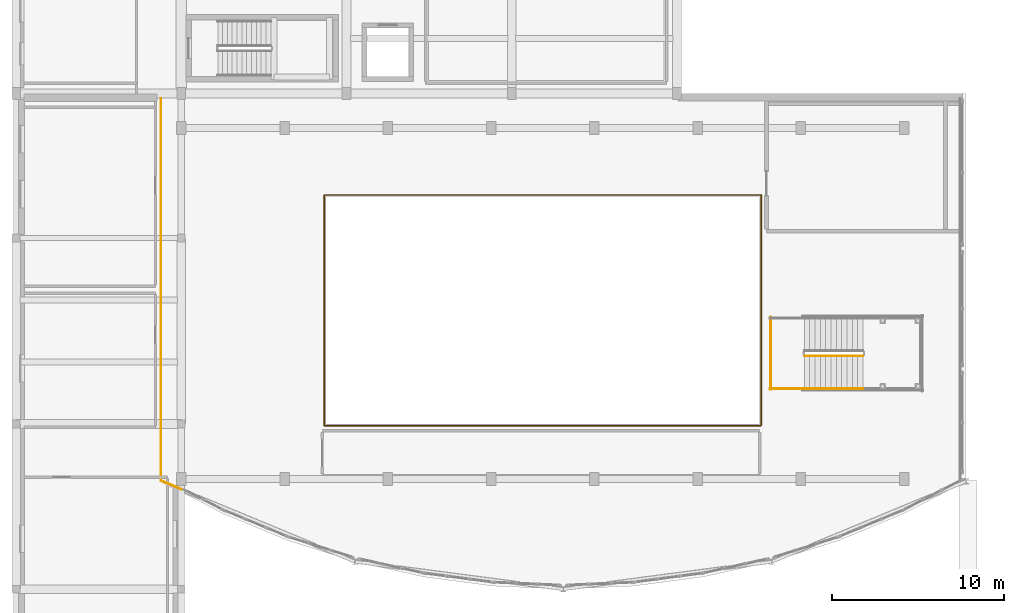
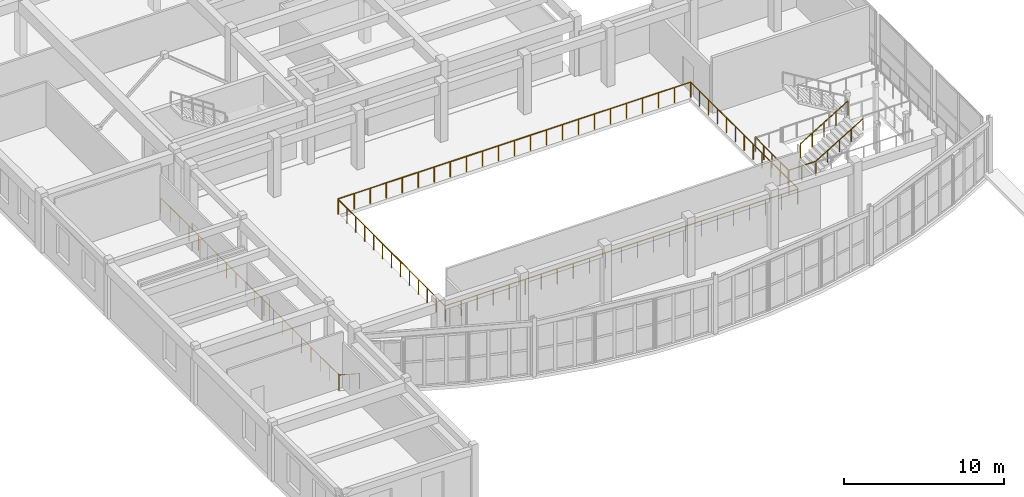
# One storey, part 78 of 92: 7 railings.
"""IFC4 building model written with IfcOpenShell, lengths in metres."""

from ifc_helpers import new_model, si_unit, direction, frame, origin, origin_2d, place, context, subcontext, project, spatial, circle, extrude, material, type_object, element, save


model = new_model("IFC4")

# Units and contexts
model_context = context("Model", 3, precision=1e-05, world=origin(), true_north=direction((0.0, 1.0)))
body_context = subcontext(model_context, "Body", "Model", "MODEL_VIEW")
ifc_project = project(units=[si_unit("LENGTHUNIT", "METRE"), si_unit("AREAUNIT", "SQUARE_METRE"), si_unit("VOLUMEUNIT", "CUBIC_METRE"), si_unit("PLANEANGLEUNIT", "RADIAN"), si_unit("MASSUNIT", "GRAM", prefix="KILO")], contexts=[model_context])

# Site, building, storey
site_placement = place(None, origin())
site = spatial("IfcSite", under=ifc_project, at=site_placement, CompositionType="ELEMENT")
building_placement = place(site_placement, origin())
building = spatial("IfcBuilding", under=site, at=building_placement, Name="Tarnavel Promenade Courthouse", CompositionType="ELEMENT")
storey_placement = place(building_placement, frame((0.0, 0.0, 5.39990234375)))
storey = spatial("IfcBuildingStorey", under=building, at=storey_placement, Name="L02", CompositionType="ELEMENT", Elevation=5.39990234375)

# Railings
ifc_material_1 = material(Name="Brushed Bronze Tubular Stair Handrail")
railing_type_1 = type_object("IfcRailingType", Name="Brushed Bronze Tubular Stair Handrail (RL-HND-0900)", PredefinedType="HANDRAIL", material=ifc_material_1)
railing_1_placement = place(storey_placement, frame((45.800048828125, 20.050048828125, 0.1875)))
element("IfcRailing", 1, at=railing_1_placement, inside=storey, type_object=railing_type_1, Name="L02 ST-09 stair handrail 1", PredefinedType="HANDRAIL", context=body_context, shape_type="SweptSolid", body=[
    extrude(circle(Radius=0.02392578125, at=origin_2d()), frame((0.0, 0.0, 0.8759765625), z_axis=(0.855655013707, 0.0, 0.517546613861), x_axis=(0.0, 1.0, 0.0)), (0.0, 0.0, 1.0), 3.985107421875),
    extrude(circle(Radius=0.02099609375, at=origin_2d()), origin(), (0.0, 0.0, 1.0), 0.851806640625),
    extrude(circle(Radius=0.02099609375, at=origin_2d()), frame((0.8525390625, 0.0, 0.515625)), (0.0, 0.0, 1.0), 0.851806640625),
    extrude(circle(Radius=0.02099609375, at=origin_2d()), frame((1.705078125, 0.0, 1.03125)), (0.0, 0.0, 1.0), 0.851806640625),
    extrude(circle(Radius=0.02099609375, at=origin_2d()), frame((2.557373046875, 0.0, 1.546875)), (0.0, 0.0, 1.0), 0.851806640625),
    extrude(circle(Radius=0.02099609375, at=origin_2d()), frame((3.409912109375, 0.0, 2.0625)), (0.0, 0.0, 1.0), 0.851806640625),
])
ifc_material_2 = material(Name="Laminated Glass and Bronze Concourse Gallery Balustrade", Category="glass")
railing_type_2 = type_object("IfcRailingType", Name="Laminated Glass and Bronze Concourse Gallery Balustrade (RL-BAL-1180)", PredefinedType="BALUSTRADE", material=ifc_material_2)
railing_2_placement = place(storey_placement, frame((17.89990234375, 31.260009765625, 0.0)))
element("IfcRailing", 2, at=railing_2_placement, inside=storey, type_object=railing_type_2, Name="L02 Public Hall Gallery Balustrade South-West Run", PredefinedType="BALUSTRADE", context=body_context, shape_type="SweptSolid", body=[
    extrude(circle(Radius=0.02392578125, at=origin_2d()), frame((0.0, 0.0, 1.15576171875), z_axis=(0.0, -1.0, 0.0), x_axis=(1.0, 0.0, 0.0)), (0.0, 0.0, 1.0), 13.360107421875),
    extrude(circle(Radius=0.02392578125, at=origin_2d()), frame((0.0, -13.360107421875, 1.15576171875), z_axis=(1.0, 0.0, 0.0), x_axis=(0.0, 1.0, 0.0)), (0.0, 0.0, 1.0), 25.360107421875),
    extrude(circle(Radius=0.02099609375, at=origin_2d()), origin(), (0.0, 0.0, 1.0), 1.1318359375),
    extrude(circle(Radius=0.02099609375, at=origin_2d()), frame((0.0, -1.11328125, 0.0)), (0.0, 0.0, 1.0), 1.1318359375),
    extrude(circle(Radius=0.02099609375, at=origin_2d()), frame((0.0, -2.2265625, 0.0)), (0.0, 0.0, 1.0), 1.1318359375),
    extrude(circle(Radius=0.02099609375, at=origin_2d()), frame((0.0, -3.340087890625, 0.0)), (0.0, 0.0, 1.0), 1.1318359375),
    extrude(circle(Radius=0.02099609375, at=origin_2d()), frame((0.0, -4.453369140625, 0.0)), (0.0, 0.0, 1.0), 1.1318359375),
    extrude(circle(Radius=0.02099609375, at=origin_2d()), frame((0.0, -5.566650390625, 0.0)), (0.0, 0.0, 1.0), 1.1318359375),
    extrude(circle(Radius=0.02099609375, at=origin_2d()), frame((0.0, -6.68017578125, 0.0)), (0.0, 0.0, 1.0), 1.1318359375),
    extrude(circle(Radius=0.02099609375, at=origin_2d()), frame((0.0, -7.79345703125, 0.0)), (0.0, 0.0, 1.0), 1.1318359375),
    extrude(circle(Radius=0.02099609375, at=origin_2d()), frame((0.0, -8.90673828125, 0.0)), (0.0, 0.0, 1.0), 1.1318359375),
    extrude(circle(Radius=0.02099609375, at=origin_2d()), frame((0.0, -10.02001953125, 0.0)), (0.0, 0.0, 1.0), 1.1318359375),
    extrude(circle(Radius=0.02099609375, at=origin_2d()), frame((0.0, -11.13330078125, 0.0)), (0.0, 0.0, 1.0), 1.1318359375),
    extrude(circle(Radius=0.02099609375, at=origin_2d()), frame((0.0, -12.246826171875, 0.0)), (0.0, 0.0, 1.0), 1.1318359375),
    extrude(circle(Radius=0.02099609375, at=origin_2d()), frame((0.0, -13.360107421875, 0.0)), (0.0, 0.0, 1.0), 1.1318359375),
    extrude(circle(Radius=0.02099609375, at=origin_2d()), frame((1.15283203125, -13.360107421875, 0.0)), (0.0, 0.0, 1.0), 1.1318359375),
    extrude(circle(Radius=0.02099609375, at=origin_2d()), frame((2.305419921875, -13.360107421875, 0.0)), (0.0, 0.0, 1.0), 1.1318359375),
    extrude(circle(Radius=0.02099609375, at=origin_2d()), frame((3.458251953125, -13.360107421875, 0.0)), (0.0, 0.0, 1.0), 1.1318359375),
    extrude(circle(Radius=0.02099609375, at=origin_2d()), frame((4.61083984375, -13.360107421875, 0.0)), (0.0, 0.0, 1.0), 1.1318359375),
    extrude(circle(Radius=0.02099609375, at=origin_2d()), frame((5.763671875, -13.360107421875, 0.0)), (0.0, 0.0, 1.0), 1.1318359375),
    extrude(circle(Radius=0.02099609375, at=origin_2d()), frame((6.91650390625, -13.360107421875, 0.0)), (0.0, 0.0, 1.0), 1.1318359375),
    extrude(circle(Radius=0.02099609375, at=origin_2d()), frame((8.069091796875, -13.360107421875, 0.0)), (0.0, 0.0, 1.0), 1.1318359375),
    extrude(circle(Radius=0.02099609375, at=origin_2d()), frame((9.221923828125, -13.360107421875, 0.0)), (0.0, 0.0, 1.0), 1.1318359375),
    extrude(circle(Radius=0.02099609375, at=origin_2d()), frame((10.37451171875, -13.360107421875, 0.0)), (0.0, 0.0, 1.0), 1.1318359375),
    extrude(circle(Radius=0.02099609375, at=origin_2d()), frame((11.52734375, -13.360107421875, 0.0)), (0.0, 0.0, 1.0), 1.1318359375),
    extrude(circle(Radius=0.02099609375, at=origin_2d()), frame((12.68017578125, -13.360107421875, 0.0)), (0.0, 0.0, 1.0), 1.1318359375),
    extrude(circle(Radius=0.02099609375, at=origin_2d()), frame((13.832763671875, -13.360107421875, 0.0)), (0.0, 0.0, 1.0), 1.1318359375),
    extrude(circle(Radius=0.02099609375, at=origin_2d()), frame((14.985595703125, -13.360107421875, 0.0)), (0.0, 0.0, 1.0), 1.1318359375),
    extrude(circle(Radius=0.02099609375, at=origin_2d()), frame((16.13818359375, -13.360107421875, 0.0)), (0.0, 0.0, 1.0), 1.1318359375),
    extrude(circle(Radius=0.02099609375, at=origin_2d()), frame((17.291015625, -13.360107421875, 0.0)), (0.0, 0.0, 1.0), 1.1318359375),
    extrude(circle(Radius=0.02099609375, at=origin_2d()), frame((18.443603515625, -13.360107421875, 0.0)), (0.0, 0.0, 1.0), 1.1318359375),
    extrude(circle(Radius=0.02099609375, at=origin_2d()), frame((19.596435546875, -13.360107421875, 0.0)), (0.0, 0.0, 1.0), 1.1318359375),
    extrude(circle(Radius=0.02099609375, at=origin_2d()), frame((20.749267578125, -13.360107421875, 0.0)), (0.0, 0.0, 1.0), 1.1318359375),
    extrude(circle(Radius=0.02099609375, at=origin_2d()), frame((21.90185546875, -13.360107421875, 0.0)), (0.0, 0.0, 1.0), 1.1318359375),
    extrude(circle(Radius=0.02099609375, at=origin_2d()), frame((23.0546875, -13.360107421875, 0.0)), (0.0, 0.0, 1.0), 1.1318359375),
    extrude(circle(Radius=0.02099609375, at=origin_2d()), frame((24.207275390625, -13.360107421875, 0.0)), (0.0, 0.0, 1.0), 1.1318359375),
    extrude(circle(Radius=0.02099609375, at=origin_2d()), frame((25.360107421875, -13.360107421875, 0.0)), (0.0, 0.0, 1.0), 1.1318359375),
])
railing_3_placement = place(storey_placement, frame((17.93994140625, 31.300048828125, 0.0)))
element("IfcRailing", 3, at=railing_3_placement, inside=storey, type_object=railing_type_2, Name="L02 Public Hall Gallery Balustrade North-East Run", PredefinedType="BALUSTRADE", context=body_context, shape_type="SweptSolid", body=[
    extrude(circle(Radius=0.02392578125, at=origin_2d()), frame((0.0, 0.0, 1.15576171875), z_axis=(1.0, 0.0, 0.0), x_axis=(0.0, 1.0, 0.0)), (0.0, 0.0, 1.0), 25.360107421875),
    extrude(circle(Radius=0.02392578125, at=origin_2d()), frame((25.360107421875, 0.0, 1.15576171875), z_axis=(0.0, -1.0, 0.0), x_axis=(1.0, 0.0, 0.0)), (0.0, 0.0, 1.0), 13.360107421875),
    extrude(circle(Radius=0.02099609375, at=origin_2d()), origin(), (0.0, 0.0, 1.0), 1.1318359375),
    extrude(circle(Radius=0.02099609375, at=origin_2d()), frame((1.15283203125, 0.0, 0.0)), (0.0, 0.0, 1.0), 1.1318359375),
    extrude(circle(Radius=0.02099609375, at=origin_2d()), frame((2.305419921875, 0.0, 0.0)), (0.0, 0.0, 1.0), 1.1318359375),
    extrude(circle(Radius=0.02099609375, at=origin_2d()), frame((3.458251953125, 0.0, 0.0)), (0.0, 0.0, 1.0), 1.1318359375),
    extrude(circle(Radius=0.02099609375, at=origin_2d()), frame((4.61083984375, 0.0, 0.0)), (0.0, 0.0, 1.0), 1.1318359375),
    extrude(circle(Radius=0.02099609375, at=origin_2d()), frame((5.763671875, 0.0, 0.0)), (0.0, 0.0, 1.0), 1.1318359375),
    extrude(circle(Radius=0.02099609375, at=origin_2d()), frame((6.91650390625, 0.0, 0.0)), (0.0, 0.0, 1.0), 1.1318359375),
    extrude(circle(Radius=0.02099609375, at=origin_2d()), frame((8.069091796875, 0.0, 0.0)), (0.0, 0.0, 1.0), 1.1318359375),
    extrude(circle(Radius=0.02099609375, at=origin_2d()), frame((9.221923828125, 0.0, 0.0)), (0.0, 0.0, 1.0), 1.1318359375),
    extrude(circle(Radius=0.02099609375, at=origin_2d()), frame((10.37451171875, 0.0, 0.0)), (0.0, 0.0, 1.0), 1.1318359375),
    extrude(circle(Radius=0.02099609375, at=origin_2d()), frame((11.52734375, 0.0, 0.0)), (0.0, 0.0, 1.0), 1.1318359375),
    extrude(circle(Radius=0.02099609375, at=origin_2d()), frame((12.68017578125, 0.0, 0.0)), (0.0, 0.0, 1.0), 1.1318359375),
    extrude(circle(Radius=0.02099609375, at=origin_2d()), frame((13.832763671875, 0.0, 0.0)), (0.0, 0.0, 1.0), 1.1318359375),
    extrude(circle(Radius=0.02099609375, at=origin_2d()), frame((14.985595703125, 0.0, 0.0)), (0.0, 0.0, 1.0), 1.1318359375),
    extrude(circle(Radius=0.02099609375, at=origin_2d()), frame((16.13818359375, 0.0, 0.0)), (0.0, 0.0, 1.0), 1.1318359375),
    extrude(circle(Radius=0.02099609375, at=origin_2d()), frame((17.291015625, 0.0, 0.0)), (0.0, 0.0, 1.0), 1.1318359375),
    extrude(circle(Radius=0.02099609375, at=origin_2d()), frame((18.443603515625, 0.0, 0.0)), (0.0, 0.0, 1.0), 1.1318359375),
    extrude(circle(Radius=0.02099609375, at=origin_2d()), frame((19.596435546875, 0.0, 0.0)), (0.0, 0.0, 1.0), 1.1318359375),
    extrude(circle(Radius=0.02099609375, at=origin_2d()), frame((20.749267578125, 0.0, 0.0)), (0.0, 0.0, 1.0), 1.1318359375),
    extrude(circle(Radius=0.02099609375, at=origin_2d()), frame((21.90185546875, 0.0, 0.0)), (0.0, 0.0, 1.0), 1.1318359375),
    extrude(circle(Radius=0.02099609375, at=origin_2d()), frame((23.0546875, 0.0, 0.0)), (0.0, 0.0, 1.0), 1.1318359375),
    extrude(circle(Radius=0.02099609375, at=origin_2d()), frame((24.207275390625, 0.0, 0.0)), (0.0, 0.0, 1.0), 1.1318359375),
    extrude(circle(Radius=0.02099609375, at=origin_2d()), frame((25.360107421875, 0.0, 0.0)), (0.0, 0.0, 1.0), 1.1318359375),
    extrude(circle(Radius=0.02099609375, at=origin_2d()), frame((25.360107421875, -1.11328125, 0.0)), (0.0, 0.0, 1.0), 1.1318359375),
    extrude(circle(Radius=0.02099609375, at=origin_2d()), frame((25.360107421875, -2.2265625, 0.0)), (0.0, 0.0, 1.0), 1.1318359375),
    extrude(circle(Radius=0.02099609375, at=origin_2d()), frame((25.360107421875, -3.340087890625, 0.0)), (0.0, 0.0, 1.0), 1.1318359375),
    extrude(circle(Radius=0.02099609375, at=origin_2d()), frame((25.360107421875, -4.453369140625, 0.0)), (0.0, 0.0, 1.0), 1.1318359375),
    extrude(circle(Radius=0.02099609375, at=origin_2d()), frame((25.360107421875, -5.566650390625, 0.0)), (0.0, 0.0, 1.0), 1.1318359375),
    extrude(circle(Radius=0.02099609375, at=origin_2d()), frame((25.360107421875, -6.68017578125, 0.0)), (0.0, 0.0, 1.0), 1.1318359375),
    extrude(circle(Radius=0.02099609375, at=origin_2d()), frame((25.360107421875, -7.79345703125, 0.0)), (0.0, 0.0, 1.0), 1.1318359375),
    extrude(circle(Radius=0.02099609375, at=origin_2d()), frame((25.360107421875, -8.90673828125, 0.0)), (0.0, 0.0, 1.0), 1.1318359375),
    extrude(circle(Radius=0.02099609375, at=origin_2d()), frame((25.360107421875, -10.02001953125, 0.0)), (0.0, 0.0, 1.0), 1.1318359375),
    extrude(circle(Radius=0.02099609375, at=origin_2d()), frame((25.360107421875, -11.13330078125, 0.0)), (0.0, 0.0, 1.0), 1.1318359375),
    extrude(circle(Radius=0.02099609375, at=origin_2d()), frame((25.360107421875, -12.246826171875, 0.0)), (0.0, 0.0, 1.0), 1.1318359375),
    extrude(circle(Radius=0.02099609375, at=origin_2d()), frame((25.360107421875, -13.360107421875, 0.0)), (0.0, 0.0, 1.0), 1.1318359375),
])
railing_4_placement = place(storey_placement, frame((8.419921875, 36.89990234375, 0.0)))
element("IfcRailing", 4, at=railing_4_placement, inside=storey, type_object=railing_type_2, Name="L02 Public Drum West Corner Guardrail", PredefinedType="BALUSTRADE", context=body_context, shape_type="SweptSolid", body=[
    extrude(circle(Radius=0.02392578125, at=origin_2d()), frame((0.0, 0.0, 1.15576171875), z_axis=(0.0, -1.0, 0.0), x_axis=(1.0, 0.0, 0.0)), (0.0, 0.0, 1.0), 22.199951171875),
    extrude(circle(Radius=0.02392578125, at=origin_2d()), frame((0.0, -22.199951171875, 1.15576171875), z_axis=(0.920772594973, -0.390099767171, 0.0), x_axis=(0.390099767171, 0.920772594973, 0.0)), (0.0, 0.0, 1.0), 1.28173828125),
    extrude(circle(Radius=0.02099609375, at=origin_2d()), origin(), (0.0, 0.0, 1.0), 1.1318359375),
    extrude(circle(Radius=0.02099609375, at=origin_2d()), frame((0.0, -1.16845703125, 0.0)), (0.0, 0.0, 1.0), 1.1318359375),
    extrude(circle(Radius=0.02099609375, at=origin_2d()), frame((0.0, -2.3369140625, 0.0)), (0.0, 0.0, 1.0), 1.1318359375),
    extrude(circle(Radius=0.02099609375, at=origin_2d()), frame((0.0, -3.50537109375, 0.0)), (0.0, 0.0, 1.0), 1.1318359375),
    extrude(circle(Radius=0.02099609375, at=origin_2d()), frame((0.0, -4.673583984375, 0.0)), (0.0, 0.0, 1.0), 1.1318359375),
    extrude(circle(Radius=0.02099609375, at=origin_2d()), frame((0.0, -5.842041015625, 0.0)), (0.0, 0.0, 1.0), 1.1318359375),
    extrude(circle(Radius=0.02099609375, at=origin_2d()), frame((0.0, -7.010498046875, 0.0)), (0.0, 0.0, 1.0), 1.1318359375),
    extrude(circle(Radius=0.02099609375, at=origin_2d()), frame((0.0, -8.178955078125, 0.0)), (0.0, 0.0, 1.0), 1.1318359375),
    extrude(circle(Radius=0.02099609375, at=origin_2d()), frame((0.0, -9.347412109375, 0.0)), (0.0, 0.0, 1.0), 1.1318359375),
    extrude(circle(Radius=0.02099609375, at=origin_2d()), frame((0.0, -10.515869140625, 0.0)), (0.0, 0.0, 1.0), 1.1318359375),
    extrude(circle(Radius=0.02099609375, at=origin_2d()), frame((0.0, -11.68408203125, 0.0)), (0.0, 0.0, 1.0), 1.1318359375),
    extrude(circle(Radius=0.02099609375, at=origin_2d()), frame((0.0, -12.8525390625, 0.0)), (0.0, 0.0, 1.0), 1.1318359375),
    extrude(circle(Radius=0.02099609375, at=origin_2d()), frame((0.0, -14.02099609375, 0.0)), (0.0, 0.0, 1.0), 1.1318359375),
    extrude(circle(Radius=0.02099609375, at=origin_2d()), frame((0.0, -15.189453125, 0.0)), (0.0, 0.0, 1.0), 1.1318359375),
    extrude(circle(Radius=0.02099609375, at=origin_2d()), frame((0.0, -16.35791015625, 0.0)), (0.0, 0.0, 1.0), 1.1318359375),
    extrude(circle(Radius=0.02099609375, at=origin_2d()), frame((0.0, -17.5263671875, 0.0)), (0.0, 0.0, 1.0), 1.1318359375),
    extrude(circle(Radius=0.02099609375, at=origin_2d()), frame((0.0, -18.694580078125, 0.0)), (0.0, 0.0, 1.0), 1.1318359375),
    extrude(circle(Radius=0.02099609375, at=origin_2d()), frame((0.0, -19.863037109375, 0.0)), (0.0, 0.0, 1.0), 1.1318359375),
    extrude(circle(Radius=0.02099609375, at=origin_2d()), frame((0.0, -21.031494140625, 0.0)), (0.0, 0.0, 1.0), 1.1318359375),
    extrude(circle(Radius=0.02099609375, at=origin_2d()), frame((0.0, -22.199951171875, 0.0)), (0.0, 0.0, 1.0), 1.1318359375),
    extrude(circle(Radius=0.02099609375, at=origin_2d()), frame((0.590087890625, -22.449951171875, 0.0)), (0.0, 0.0, 1.0), 1.1318359375),
    extrude(circle(Radius=0.02099609375, at=origin_2d()), frame((1.18017578125, -22.699951171875, 0.0)), (0.0, 0.0, 1.0), 1.1318359375),
])
ifc_material_3 = material(Name="Painted Architectural Steel Stair & Atrium Guardrail", Category="steel")
railing_type_3 = type_object("IfcRailingType", Name="Painted Architectural Steel Stair & Atrium Guardrail (RL-GRD-1120)", PredefinedType="GUARDRAIL", material=ifc_material_3)
railing_5_placement = place(storey_placement, frame((45.800048828125, 21.949951171875, 0.1875)))
element("IfcRailing", 5, at=railing_5_placement, inside=storey, type_object=railing_type_3, Name="L02 ST-09 stair guard 1", PredefinedType="GUARDRAIL", context=body_context, shape_type="SweptSolid", body=[
    extrude(circle(Radius=0.02392578125, at=origin_2d()), frame((0.0, 0.0, 1.076171875), z_axis=(0.855655013707, 0.0, 0.517546613861), x_axis=(0.0, 1.0, 0.0)), (0.0, 0.0, 1.0), 3.985107421875),
    extrude(circle(Radius=0.02099609375, at=origin_2d()), origin(), (0.0, 0.0, 1.0), 1.052001953125),
    extrude(circle(Radius=0.02099609375, at=origin_2d()), frame((0.8525390625, 0.0, 0.515625)), (0.0, 0.0, 1.0), 1.052001953125),
    extrude(circle(Radius=0.02099609375, at=origin_2d()), frame((1.705078125, 0.0, 1.03125)), (0.0, 0.0, 1.0), 1.052001953125),
    extrude(circle(Radius=0.02099609375, at=origin_2d()), frame((2.557373046875, 0.0, 1.546875)), (0.0, 0.0, 1.0), 1.052001953125),
    extrude(circle(Radius=0.02099609375, at=origin_2d()), frame((3.409912109375, 0.0, 2.0625)), (0.0, 0.0, 1.0), 1.052001953125),
])
railing_6_placement = place(storey_placement, frame((43.800048828125, 20.050048828125, 0.0)))
element("IfcRailing", 6, at=railing_6_placement, inside=storey, type_object=railing_type_3, Name="L02 ST-09 stair guard 8", PredefinedType="GUARDRAIL", context=body_context, shape_type="SweptSolid", body=[
    extrude(circle(Radius=0.02392578125, at=origin_2d()), frame((0.0, 0.0, 1.076171875), z_axis=(1.0, 0.0, 0.0), x_axis=(0.0, 1.0, 0.0)), (0.0, 0.0, 1.0), 2.0),
    extrude(circle(Radius=0.02099609375, at=origin_2d()), origin(), (0.0, 0.0, 1.0), 1.052001953125),
    extrude(circle(Radius=0.02099609375, at=origin_2d()), frame((1.0, 0.0, 0.0)), (0.0, 0.0, 1.0), 1.052001953125),
    extrude(circle(Radius=0.02099609375, at=origin_2d()), frame((2.0, 0.0, 0.0)), (0.0, 0.0, 1.0), 1.052001953125),
])
railing_7_placement = place(storey_placement, frame((43.85009765625, 20.0, 0.0)))
element("IfcRailing", 7, at=railing_7_placement, inside=storey, type_object=railing_type_3, Name="L02 ST-09 stair guard 10", PredefinedType="GUARDRAIL", context=body_context, shape_type="SweptSolid", body=[
    extrude(circle(Radius=0.02392578125, at=origin_2d()), frame((0.0, 0.0, 1.076171875), z_axis=(0.0, 1.0, 0.0), x_axis=(-1.0, 0.0, 0.0)), (0.0, 0.0, 1.0), 4.199951171875),
    extrude(circle(Radius=0.02099609375, at=origin_2d()), origin(), (0.0, 0.0, 1.0), 1.052001953125),
    extrude(circle(Radius=0.02099609375, at=origin_2d()), frame((0.0, 1.050048828125, 0.0)), (0.0, 0.0, 1.0), 1.052001953125),
    extrude(circle(Radius=0.02099609375, at=origin_2d()), frame((0.0, 2.10009765625, 0.0)), (0.0, 0.0, 1.0), 1.052001953125),
    extrude(circle(Radius=0.02099609375, at=origin_2d()), frame((0.0, 3.14990234375, 0.0)), (0.0, 0.0, 1.0), 1.052001953125),
    extrude(circle(Radius=0.02099609375, at=origin_2d()), frame((0.0, 4.199951171875, 0.0)), (0.0, 0.0, 1.0), 1.052001953125),
])

save(model, "model.ifc")
